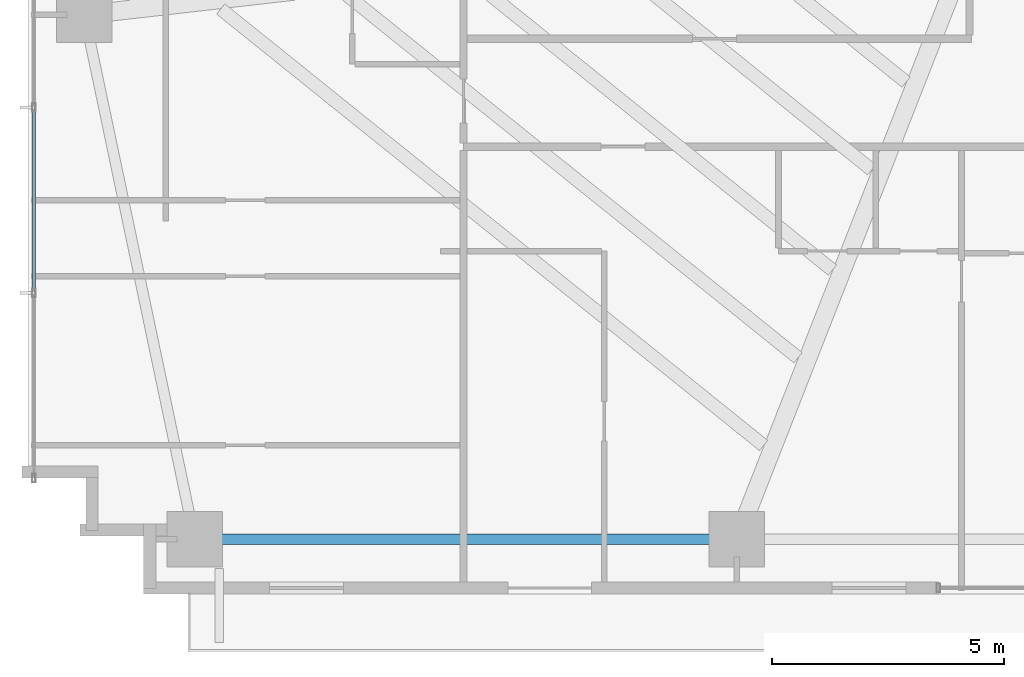
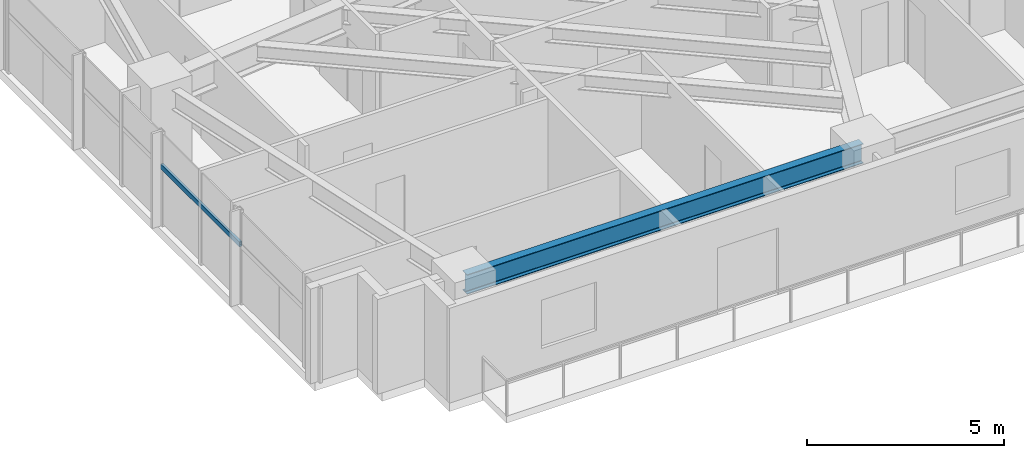
# One storey, part 3 of 25: 1 beam, 1 member, 1 element without a shape of its own.
"""IFC4 building model written with IfcOpenShell, lengths in metres."""

from ifc_helpers import new_model, si_unit, direction, frame, origin, origin_2d, place, context, subcontext, project, spatial, hollow_rectangle, i_section, extrude, source, transform, mapped, material, material_profile, profile_set, type_object, type_shapes, element, aggregate, save


model = new_model("IFC4")

# Units and contexts
model_context = context("Model", 3, precision=1e-05, world=origin(), true_north=direction((0.0, 1.0)))
body_context = subcontext(model_context, "Body", "Model", "MODEL_VIEW")
ifc_project = project(units=[si_unit("LENGTHUNIT", "METRE"), si_unit("AREAUNIT", "SQUARE_METRE"), si_unit("VOLUMEUNIT", "CUBIC_METRE"), si_unit("PLANEANGLEUNIT", "RADIAN"), si_unit("MASSUNIT", "GRAM", prefix="KILO")], contexts=[model_context])

# Site, building, storey
site_placement = place(None, origin())
site = spatial("IfcSite", under=ifc_project, at=site_placement, CompositionType="ELEMENT")
building_placement = place(site_placement, origin())
building = spatial("IfcBuilding", under=site, at=building_placement, Name="Astriad Promenade Condominiums", CompositionType="ELEMENT")
storey_placement = place(building_placement, frame((0.0, 0.0, 26.199951171875)))
storey = spatial("IfcBuildingStorey", under=building, at=storey_placement, Name="L06", CompositionType="ELEMENT", Elevation=26.199951171875)

# Beam
ifc_material_1 = material(Name="Steel ASTM A992 Grade 50", Category="steel")
ifc_material_profile_1 = material_profile(ifc_material_1, i_section(OverallWidth=0.22900390625, OverallDepth=0.612060546875, WebThickness=0.011962890625, FlangeThickness=0.01953125, FilletRadius=0.017822265625, at=origin_2d()), Name="W24X84")
ifc_profile_set_1 = profile_set([ifc_material_profile_1], Name="Steel ASTM A992 Grade 50")
beam_type = type_object("IfcBeamType", Name="STEEL SPANDREL BEAM W24X84", PredefinedType="SPANDREL", material=ifc_profile_set_1)
shared_shape_1 = source(origin(), body_context, "Body", "SweptSolid", [
    extrude(i_section(OverallWidth=0.22900390625, OverallDepth=0.612060546875, WebThickness=0.011962890625, FlangeThickness=0.01953125, FilletRadius=0.017822265625, at=origin_2d()), origin(), (0.0, 0.0, 1.0), 11.6201171875),
])
type_shapes(beam_type, [shared_shape_1])
beam_placement = place(storey_placement, frame((9.43994140625, 3.8798828125, 2.634033203125), z_axis=(1.0, 0.0, 0.0), x_axis=(0.0, 1.0, 0.0)))
element("IfcBeam", 1, at=beam_placement, inside=storey, type_object=beam_type, Name="Perimeter Spandrel Beam SP-S1-L06", PredefinedType="SPANDREL", context=body_context, shape_type="MappedRepresentation", body=[
    mapped(shared_shape_1, transform((0.0, 0.0, 0.0), scale=1.0)),
])

# Curtain wall, member
ifc_material_2 = material(Name="Anodised aluminium Black Dark Glass Unitised", Category="aluminium")
curtain_wall_type = type_object("IfcCurtainWallType", Name="CW-B1-DARK", PredefinedType="USERDEFINED", material=ifc_material_2)
curtain_wall_placement = place(storey_placement, origin())
curtain_wall = element("IfcCurtainWall", 2, at=curtain_wall_placement, inside=storey, type_object=curtain_wall_type, Name="CW-L06-W", ObjectType="UNITISED_CURTAIN_WALL", PredefinedType="USERDEFINED")
ifc_material_3 = material(Name="Anodised aluminium 6063-T6 Black", Category="aluminium")
ifc_material_profile_2 = material_profile(ifc_material_3, hollow_rectangle(XDim=0.074951171875, YDim=0.14990234375, WallThickness=0.004150390625, at=origin_2d()), Name="ALU-TRN-75X150")
ifc_profile_set_2 = profile_set([ifc_material_profile_2], Name="Anodised aluminium 6063-T6 Black")
member_type = type_object("IfcMemberType", Name="TRN-ALU-TRN-75X150", PredefinedType="USERDEFINED", material=ifc_profile_set_2)
shared_shape_2 = source(origin(), body_context, "Body", "SweptSolid", [
    extrude(hollow_rectangle(XDim=0.074951171875, YDim=0.14990234375, WallThickness=0.004150390625, at=origin_2d()), origin(), (0.0, 0.0, 1.0), 4.0),
])
type_shapes(member_type, [shared_shape_2])
member_placement = place(storey_placement, frame((5.929931640625, 9.199951171875, 1.82275390625), z_axis=(0.0, 1.0, 0.0), x_axis=(-1.0, 0.0, 0.0)))
member = element("IfcMember", 3, at=member_placement, type_object=member_type, Name="CW-L06-W-TRN-01-0", ObjectType="TRANSOM", PredefinedType="USERDEFINED", context=body_context, shape_type="MappedRepresentation", body=[
    mapped(shared_shape_2, transform((0.0, 0.0, 0.0), scale=1.0)),
])
aggregate(curtain_wall, [member])

save(model, "model.ifc")
